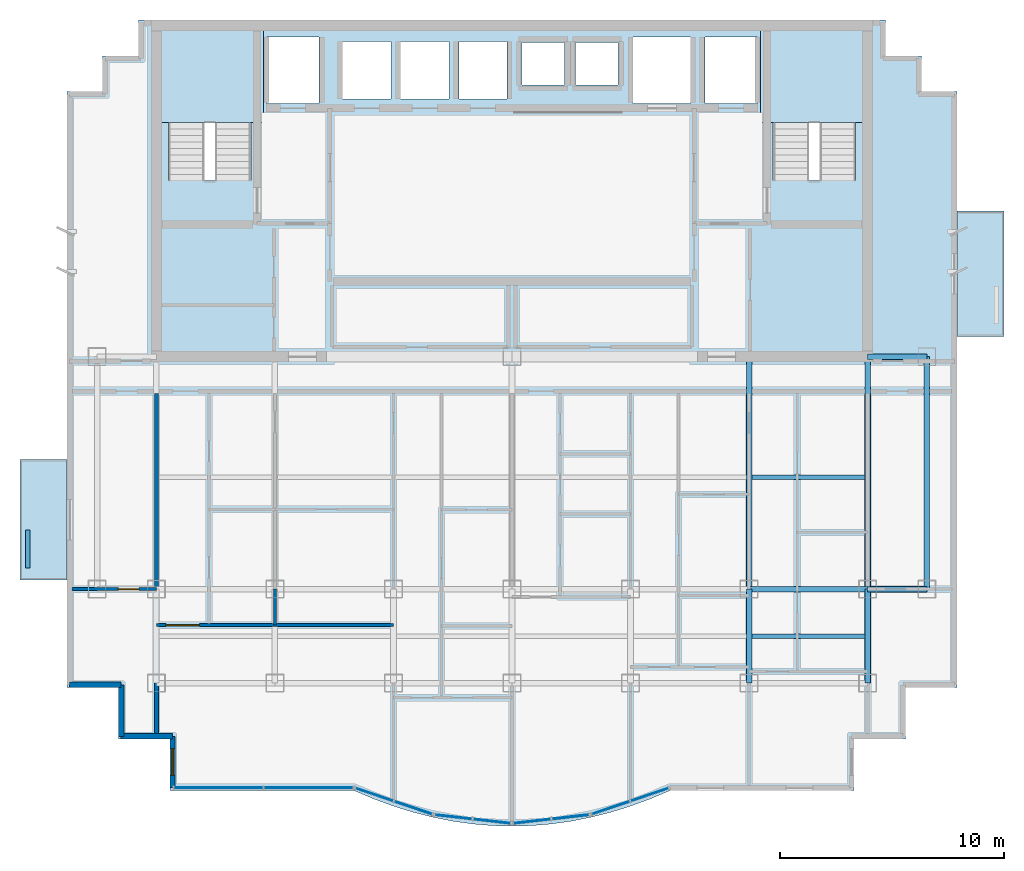
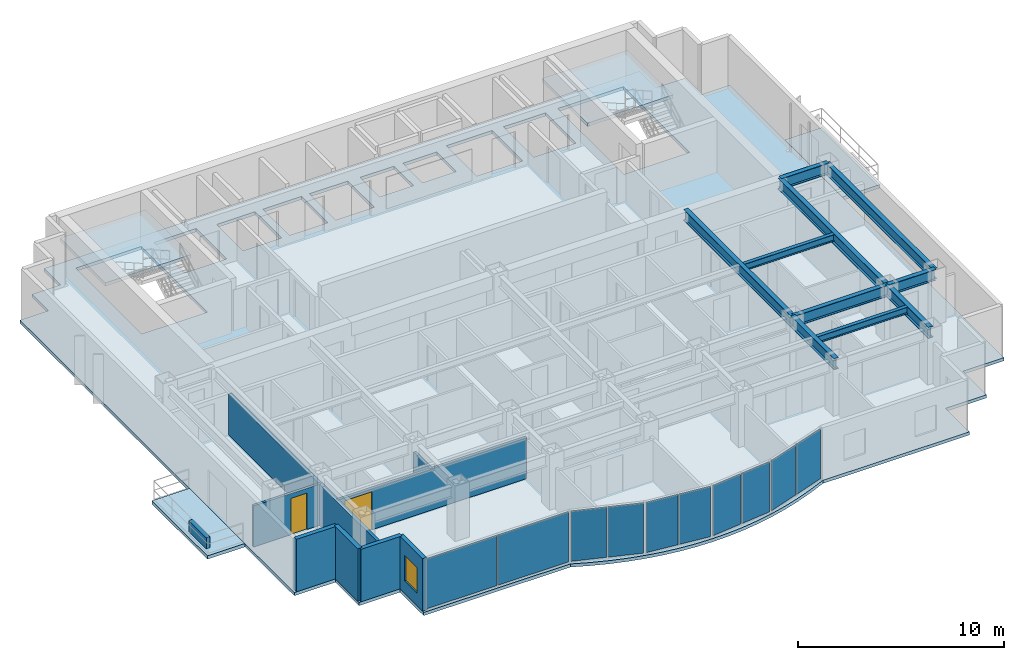
# One storey, part 3 of 9: 10 beams, 10 plates, 9 walls, 5 slabs, 2 doors, 1 window, 3 openings, 7 elements without a shape of their own.
"""IFC4 building model written with IfcOpenShell, lengths in metres."""

from ifc_helpers import new_model, si_unit, direction, frame, frame_2d, origin, origin_2d, place, context, subcontext, project, spatial, polyline, rectangle, i_section, outline, extrude, source, transform, mapped, material, layer, layer_set, material_profile, profile_set, type_object, element, fill, aggregate, save


model = new_model("IFC4")

# Units and contexts
model_context = context("Model", 3, precision=1e-05, world=origin(), true_north=direction((0.0, 1.0)))
body_context = subcontext(model_context, "Body", "Model", "MODEL_VIEW")
ifc_project = project(units=[si_unit("LENGTHUNIT", "METRE"), si_unit("AREAUNIT", "SQUARE_METRE"), si_unit("VOLUMEUNIT", "CUBIC_METRE"), si_unit("PLANEANGLEUNIT", "RADIAN"), si_unit("MASSUNIT", "GRAM", prefix="KILO")], contexts=[model_context])

# Site, building, storey
site_placement = place(None, origin())
site = spatial("IfcSite", under=ifc_project, at=site_placement, CompositionType="ELEMENT")
building_placement = place(site_placement, origin())
building = spatial("IfcBuilding", under=site, at=building_placement, Name="Qianlan Lanfeng Residences", CompositionType="ELEMENT")
storey_placement = place(building_placement, frame((0.0, 0.0, 209.89990234375)))
storey = spatial("IfcBuildingStorey", under=building, at=storey_placement, Name="L57", CompositionType="ELEMENT", Elevation=209.89990234375)

# Beams
ifc_material_1 = material(Name="Steel SN490B", Category="steel")
ifc_material_profile_1 = material_profile(ifc_material_1, i_section(OverallWidth=0.25, OverallDepth=0.64990234375, WebThickness=0.012939453125, FlangeThickness=0.02197265625, at=origin_2d()), Name="H 650x250x13x22")
ifc_profile_set_1 = profile_set([ifc_material_profile_1], Name="Steel SN490B")
beam_type_1 = type_object("IfcBeamType", Name="G-650", PredefinedType="BEAM", material=ifc_profile_set_1)
beam_1_placement = place(storey_placement, frame((37.10009765625, 14.800048828125, 2.78515625), z_axis=(1.0, 0.0, 0.0), x_axis=(0.0, 1.0, 0.0)))
element("IfcBeam", 1, at=beam_1_placement, inside=storey, type_object=beam_type_1, Name="Structural beam G-650", PredefinedType="BEAM", context=body_context, shape_type="SweptSolid", body=[
    extrude(i_section(OverallWidth=0.25, OverallDepth=0.64990234375, WebThickness=0.012939453125, FlangeThickness=0.02197265625, at=origin_2d()), origin(), (0.0, 0.0, 1.0), 5.2998046875),
])
for number, where, z_axis, x_axis, name in (
    (2, (42.39990234375, 14.800048828125, 2.78515625), (1.0, 0.0, 0.0), (0.0, 1.0, 0.0), "Structural beam G-650"),
    (3, (42.39990234375, 25.199951171875, 2.78515625), (1.0, 0.0, 0.0), (0.0, 1.0, 0.0), "Structural beam G-650"),
):
    element("IfcBeam", number, at=place(storey_placement, frame(where, z_axis=z_axis, x_axis=x_axis)), inside=storey, type_object=beam_type_1, Name=name, PredefinedType="BEAM", context=body_context, shape_type="SweptSolid", body=[
        extrude(i_section(OverallWidth=0.25, OverallDepth=0.64990234375, WebThickness=0.012939453125, FlangeThickness=0.02197265625, at=origin_2d()), origin(), (0.0, 0.0, 1.0), 2.650146484375),
    ])
beam_2_placement = place(storey_placement, frame((37.10009765625, 10.60009765625, 2.78515625), z_axis=(0.0, 1.0, 0.0), x_axis=(-1.0, 0.0, 0.0)))
element("IfcBeam", 4, at=beam_2_placement, inside=storey, type_object=beam_type_1, Name="Structural beam G-650", PredefinedType="BEAM", context=body_context, shape_type="SweptSolid", body=[
    extrude(i_section(OverallWidth=0.25, OverallDepth=0.64990234375, WebThickness=0.012939453125, FlangeThickness=0.02197265625, at=origin_2d()), origin(), (0.0, 0.0, 1.0), 4.199951171875),
])
beam_3_placement = place(storey_placement, frame((37.10009765625, 14.800048828125, 2.78515625), z_axis=(0.0, 1.0, 0.0), x_axis=(-1.0, 0.0, 0.0)))
element("IfcBeam", 5, at=beam_3_placement, inside=storey, type_object=beam_type_1, Name="Structural beam G-650", PredefinedType="BEAM", context=body_context, shape_type="SweptSolid", body=[
    extrude(i_section(OverallWidth=0.25, OverallDepth=0.64990234375, WebThickness=0.012939453125, FlangeThickness=0.02197265625, at=origin_2d()), origin(), (0.0, 0.0, 1.0), 10.39990234375),
])
beam_4_placement = place(storey_placement, frame((42.39990234375, 10.60009765625, 2.78515625), z_axis=(0.0, 1.0, 0.0), x_axis=(-1.0, 0.0, 0.0)))
element("IfcBeam", 6, at=beam_4_placement, inside=storey, type_object=beam_type_1, Name="Structural beam G-650", PredefinedType="BEAM", context=body_context, shape_type="SweptSolid", body=[
    extrude(i_section(OverallWidth=0.25, OverallDepth=0.64990234375, WebThickness=0.012939453125, FlangeThickness=0.02197265625, at=origin_2d()), origin(), (0.0, 0.0, 1.0), 4.199951171875),
])
beam_5_placement = place(storey_placement, frame((42.39990234375, 14.800048828125, 2.78515625), z_axis=(0.0, 1.0, 0.0), x_axis=(-1.0, 0.0, 0.0)))
element("IfcBeam", 7, at=beam_5_placement, inside=storey, type_object=beam_type_1, Name="Structural beam G-650", PredefinedType="BEAM", context=body_context, shape_type="SweptSolid", body=[
    extrude(i_section(OverallWidth=0.25, OverallDepth=0.64990234375, WebThickness=0.012939453125, FlangeThickness=0.02197265625, at=origin_2d()), origin(), (0.0, 0.0, 1.0), 10.39990234375),
])
ifc_material_profile_2 = material_profile(ifc_material_1, i_section(OverallWidth=0.199951171875, OverallDepth=0.39990234375, WebThickness=0.008056640625, FlangeThickness=0.012939453125, at=origin_2d()), Name="H 400x200x8x13")
ifc_profile_set_2 = profile_set([ifc_material_profile_2], Name="Steel SN490B")
beam_type_2 = type_object("IfcBeamType", Name="J-400", PredefinedType="JOIST", material=ifc_profile_set_2)
for number, where, z_axis, x_axis, name in (
    (8, (37.22509765625, 12.699951171875, 2.91015625), (1.0, 0.0, 0.0), (0.0, 1.0, 0.0), "Structural beam J-400"),
    (9, (37.22509765625, 19.800048828125, 2.91015625), (1.0, 0.0, 0.0), (0.0, 1.0, 0.0), "Structural beam J-400"),
):
    element("IfcBeam", number, at=place(storey_placement, frame(where, z_axis=z_axis, x_axis=x_axis)), inside=storey, type_object=beam_type_2, Name=name, PredefinedType="JOIST", context=body_context, shape_type="SweptSolid", body=[
        extrude(i_section(OverallWidth=0.199951171875, OverallDepth=0.39990234375, WebThickness=0.008056640625, FlangeThickness=0.012939453125, at=origin_2d()), origin(), (0.0, 0.0, 1.0), 5.0498046875),
    ])
ifc_material_profile_3 = material_profile(ifc_material_1, i_section(OverallWidth=0.25, OverallDepth=0.64990234375, WebThickness=0.012939453125, FlangeThickness=0.02197265625, at=origin_2d()), Name="H 650x250x13x22")
ifc_profile_set_3 = profile_set([ifc_material_profile_3], Name="Steel SN490B")
beam_type_3 = type_object("IfcBeamType", Name="SG-650", PredefinedType="SPANDREL", material=ifc_profile_set_3)
beam_6_placement = place(storey_placement, frame((45.050048828125, 14.800048828125, 2.76513671875), z_axis=(0.0, 1.0, 0.0), x_axis=(-1.0, 0.0, 0.0)))
element("IfcBeam", 10, at=beam_6_placement, inside=storey, type_object=beam_type_3, Name="Structural beam SG-650", PredefinedType="SPANDREL", context=body_context, shape_type="SweptSolid", body=[
    extrude(i_section(OverallWidth=0.25, OverallDepth=0.64990234375, WebThickness=0.012939453125, FlangeThickness=0.02197265625, at=origin_2d()), origin(), (0.0, 0.0, 1.0), 10.39990234375),
])

# Slabs
ifc_material_2 = material(Name="Concrete C42", Category="concrete")
ifc_layer_1 = layer(ifc_material_2, 0.199951171875)
ifc_layer_set_1 = layer_set([ifc_layer_1], Name="Concrete C42")
slab_type_1 = type_object("IfcSlabType", Name="S-BAL-200", PredefinedType="FLOOR", material=ifc_layer_set_1)
slab_1_placement = place(storey_placement, frame((0.0, 0.0, -0.199951171875)))
element("IfcSlab", 11, at=slab_1_placement, inside=storey, type_object=slab_type_1, Name="L57 Planted Tree Balcony Slab WB-S", PredefinedType="FLOOR", context=body_context, shape_type="SweptSolid", body=[
    extrude(outline(polyline([(6.60009765625, 15.199951171875), (6.60009765625, 20.60009765625), (4.5, 20.60009765625), (4.5, 15.199951171875), (6.60009765625, 15.199951171875)])), origin(), (0.0, 0.0, 1.0), 0.199951171875),
])
slab_2_placement = place(storey_placement, frame((0.0, 0.0, -0.199951171875)))
element("IfcSlab", 12, at=slab_2_placement, inside=storey, type_object=slab_type_1, Name="L57 Planted Tree Balcony Slab EB-N", PredefinedType="FLOOR", context=body_context, shape_type="SweptSolid", body=[
    extrude(outline(polyline([(46.39990234375, 31.699951171875), (46.39990234375, 26.10009765625), (48.5, 26.10009765625), (48.5, 31.699951171875), (46.39990234375, 31.699951171875)])), origin(), (0.0, 0.0, 1.0), 0.199951171875),
])
ifc_layer_2 = layer(ifc_material_2, 0.18994140625)
ifc_layer_set_2 = layer_set([ifc_layer_2], Name="Concrete C42")
slab_type_2 = type_object("IfcSlabType", Name="S-FL-190", PredefinedType="FLOOR", material=ifc_layer_set_2)
slab_3_placement = place(storey_placement, frame((0.0, 0.0, -0.18994140625)))
element("IfcSlab", 13, at=slab_3_placement, inside=storey, type_object=slab_type_2, Name="L57 Structural Floor Slab", PredefinedType="FLOOR", context=body_context, shape_type="SweptSolid", body=[
    extrude(outline(polyline([(6.60009765625, 10.39990234375), (8.89990234375, 10.39990234375), (8.89990234375, 8.10009765625), (11.199951171875, 8.10009765625), (11.199951171875, 5.800048828125), (19.419921875, 5.800048828125), (20.304931640625, 5.425048828125), (21.18994140625, 5.10009765625), (22.074951171875, 4.824951171875), (22.9599609375, 4.60009765625), (23.844970703125, 4.425048828125), (24.72998046875, 4.300048828125), (25.614990234375, 4.22509765625), (26.5, 4.199951171875), (27.385009765625, 4.22509765625), (28.27001953125, 4.300048828125), (29.155029296875, 4.425048828125), (30.0400390625, 4.60009765625), (30.925048828125, 4.824951171875), (31.81005859375, 5.10009765625), (32.695068359375, 5.425048828125), (33.580078125, 5.800048828125), (41.800048828125, 5.800048828125), (41.800048828125, 8.10009765625), (44.10009765625, 8.10009765625), (44.10009765625, 10.39990234375), (46.39990234375, 10.39990234375), (46.39990234375, 37.050048828125), (44.800048828125, 37.050048828125), (44.800048828125, 38.64990234375), (43.199951171875, 38.64990234375), (43.199951171875, 40.25), (9.800048828125, 40.25), (9.800048828125, 38.64990234375), (8.199951171875, 38.64990234375), (8.199951171875, 37.050048828125), (6.60009765625, 37.050048828125), (6.60009765625, 10.39990234375)]), holes=[polyline([(11.139892578125, 33.080078125), (11.139892578125, 39.5), (14.820068359375, 39.5), (14.820068359375, 33.080078125), (11.139892578125, 33.080078125)]), polyline([(38.179931640625, 33.080078125), (38.179931640625, 39.5), (41.860107421875, 39.5), (41.860107421875, 33.080078125), (38.179931640625, 33.080078125)]), polyline([(15.52001953125, 36.52001953125), (15.52001953125, 39.47998046875), (17.8798828125, 39.47998046875), (17.8798828125, 36.52001953125), (15.52001953125, 36.52001953125)]), polyline([(35.1201171875, 36.52001953125), (35.1201171875, 39.47998046875), (37.47998046875, 39.47998046875), (37.47998046875, 36.52001953125), (35.1201171875, 36.52001953125)]), polyline([(31.919921875, 36.52001953125), (31.919921875, 39.47998046875), (34.47998046875, 39.47998046875), (34.47998046875, 36.52001953125), (31.919921875, 36.52001953125)]), polyline([(18.919921875, 36.719970703125), (18.919921875, 39.280029296875), (21.080078125, 39.280029296875), (21.080078125, 36.719970703125), (18.919921875, 36.719970703125)]), polyline([(21.52001953125, 36.719970703125), (21.52001953125, 39.280029296875), (23.679931640625, 39.280029296875), (23.679931640625, 36.719970703125), (21.52001953125, 36.719970703125)]), polyline([(24.1201171875, 36.719970703125), (24.1201171875, 39.280029296875), (26.280029296875, 39.280029296875), (26.280029296875, 36.719970703125), (24.1201171875, 36.719970703125)]), polyline([(26.949951171875, 37.35009765625), (26.949951171875, 39.25), (28.85009765625, 39.25), (28.85009765625, 37.35009765625), (26.949951171875, 37.35009765625)]), polyline([(29.35009765625, 37.35009765625), (29.35009765625, 39.25), (31.25, 39.25), (31.25, 37.35009765625), (29.35009765625, 37.35009765625)])]), origin(), (0.0, 0.0, 1.0), 0.18994140625),
])

# Stair, slab
stair_type = type_object("IfcStairType", Name="STR-MAIN", PredefinedType="HALF_TURN_STAIR", material=ifc_material_2)
stair_1_placement = place(storey_placement, origin())
stair_1 = element("IfcStair", 14, at=stair_1_placement, inside=storey, type_object=stair_type, Name="L57 Exit Stair ST-1", PredefinedType="HALF_TURN_STAIR")
ifc_layer_3 = layer(ifc_material_2, 0.179931640625)
ifc_layer_set_3 = layer_set([ifc_layer_3], Name="Concrete C42")
slab_type_3 = type_object("IfcSlabType", Name="S-LND-180", PredefinedType="LANDING", material=ifc_layer_set_3)
slab_4_placement = place(storey_placement, frame((0.0, 0.0, 1.4501953125)))
slab_4 = element("IfcSlab", 15, at=slab_4_placement, type_object=slab_type_3, Name="ST-1 landing 1", PredefinedType="LANDING", context=body_context, shape_type="SweptSolid", body=[
    extrude(outline(polyline([(10.580078125, 35.659912109375), (15.3798828125, 35.659912109375), (15.3798828125, 40.050048828125), (10.580078125, 40.050048828125), (10.580078125, 35.659912109375)])), origin(), (0.0, 0.0, 1.0), 0.199951171875),
])
aggregate(stair_1, [slab_4])

stair_2_placement = place(storey_placement, origin())
stair_2 = element("IfcStair", 16, at=stair_2_placement, inside=storey, type_object=stair_type, Name="L57 Exit Stair ST-2", PredefinedType="HALF_TURN_STAIR")
slab_5_placement = place(storey_placement, frame((0.0, 0.0, 1.4501953125)))
slab_5 = element("IfcSlab", 17, at=slab_5_placement, type_object=slab_type_3, Name="ST-2 landing 1", PredefinedType="LANDING", context=body_context, shape_type="SweptSolid", body=[
    extrude(outline(polyline([(37.6201171875, 35.659912109375), (42.419921875, 35.659912109375), (42.419921875, 40.050048828125), (37.6201171875, 40.050048828125), (37.6201171875, 35.659912109375)])), origin(), (0.0, 0.0, 1.0), 0.199951171875),
])
aggregate(stair_2, [slab_5])

# Curtain wall, plates
ifc_material_3 = material(Name="Anodised Bronze Aluminium 6063-T6", Category="aluminium")
ifc_layer_4 = layer(ifc_material_3, 0.219970703125)
ifc_layer_set_4 = layer_set([ifc_layer_4], Name="Anodised Bronze Aluminium 6063-T6")
curtain_wall_type = type_object("IfcCurtainWallType", Name="CW-05", PredefinedType="NOTDEFINED", material=ifc_layer_set_4)
curtain_wall_1_placement = place(storey_placement, origin())
curtain_wall_1 = element("IfcCurtainWall", 18, at=curtain_wall_1_placement, inside=storey, type_object=curtain_wall_type, Name="L57 Unitised Curtain Wall CWR-L57-01 (CW-05)", PredefinedType="NOTDEFINED")
ifc_material_4 = material(Name="Clear Low-E Insulated Glass", Category="glass")
ifc_layer_5 = layer(ifc_material_4, 0.035888671875)
ifc_layer_set_5 = layer_set([ifc_layer_5], Name="Clear Low-E Insulated Glass")
plate_type_1 = type_object("IfcPlateType", Name="PNL-GLZ-CLR", PredefinedType="CURTAIN_PANEL", material=ifc_layer_set_5)
shared_shape_1 = source(origin(), body_context, "Body", "SweptSolid", [
    extrude(rectangle(XDim=3.951416015625, YDim=0.035888671875, at=origin_2d()), origin(), (0.0, 0.0, 1.0), 2.9619140625),
])
plate_1_placement = place(storey_placement, frame((13.36962890625, 5.919921875, 0.07421875), z_axis=(0.0, 0.0, 1.0), x_axis=(1.0, 0.0, 0.0)))
plate_1 = element("IfcPlate", 19, at=plate_1_placement, type_object=plate_type_1, Name="CWR-L57-01 Curtain Panel 1", PredefinedType="CURTAIN_PANEL", context=body_context, shape_type="MappedRepresentation", body=[
    mapped(shared_shape_1, transform((0.0, 0.0, 0.0), scale=1.0)),
])
plate_2_placement = place(storey_placement, frame((17.394287109375, 5.919921875, 0.07421875), z_axis=(0.0, 0.0, 1.0), x_axis=(1.0, 0.0, 0.0)))
plate_2 = element("IfcPlate", 20, at=plate_2_placement, type_object=plate_type_1, Name="CWR-L57-01 Curtain Panel 2", PredefinedType="CURTAIN_PANEL", context=body_context, shape_type="MappedRepresentation", body=[
    mapped(shared_shape_1, transform((0.0, 0.0, 0.0), scale=1.0)),
])
aggregate(curtain_wall_1, [plate_1, plate_2])

# Curtain wall, plate
curtain_wall_2_placement = place(storey_placement, origin())
curtain_wall_2 = element("IfcCurtainWall", 21, at=curtain_wall_2_placement, inside=storey, type_object=curtain_wall_type, Name="L57 Unitised Curtain Wall CWR-L57-02 (CW-05)", PredefinedType="NOTDEFINED")
shared_shape_2 = source(origin(), body_context, "Body", "SweptSolid", [
    extrude(rectangle(XDim=1.760009765625, YDim=0.035888671875, at=origin_2d()), origin(), (0.0, 0.0, 1.0), 2.9619140625),
])
plate_3_placement = place(storey_placement, frame((20.347412109375, 5.61328125, 0.07421875), z_axis=(0.0, 0.0, 1.0), x_axis=(0.946876819797, -0.321596467845, 0.0)))
plate_3 = element("IfcPlate", 22, at=plate_3_placement, type_object=plate_type_1, Name="CWR-L57-02 Curtain Panel 1", PredefinedType="CURTAIN_PANEL", context=body_context, shape_type="MappedRepresentation", body=[
    mapped(shared_shape_2, transform((0.0, 0.0, 0.0), scale=1.0)),
])

curtain_wall_3_placement = place(storey_placement, origin())
curtain_wall_3 = element("IfcCurtainWall", 23, at=curtain_wall_3_placement, inside=storey, type_object=curtain_wall_type, Name="L57 Unitised Curtain Wall CWR-L57-05 (CW-05)", PredefinedType="NOTDEFINED")
plate_4_placement = place(storey_placement, frame((30.917236328125, 5.023681640625, 0.07421875), z_axis=(0.0, 0.0, 1.0), x_axis=(0.946876819797, 0.321596467845, 0.0)))
plate_4 = element("IfcPlate", 24, at=plate_4_placement, type_object=plate_type_1, Name="CWR-L57-05 Curtain Panel 1", PredefinedType="CURTAIN_PANEL", context=body_context, shape_type="MappedRepresentation", body=[
    mapped(shared_shape_2, transform((0.0, 0.0, 0.0), scale=1.0)),
])

# Plate
ifc_material_5 = material(Name="Perforated Anodised Bronze Aluminium Panel", Category="aluminium")
ifc_layer_6 = layer(ifc_material_5, 0.0419921875)
ifc_layer_set_6 = layer_set([ifc_layer_6], Name="Perforated Anodised Bronze Aluminium Panel")
plate_type_2 = type_object("IfcPlateType", Name="PNL-PRF-BRZ", PredefinedType="CURTAIN_PANEL", material=ifc_layer_set_6)
shared_shape_3 = source(origin(), body_context, "Body", "SweptSolid", [
    extrude(rectangle(XDim=1.759765625, YDim=0.0419921875, at=origin_2d()), origin(), (0.0, 0.0, 1.0), 2.9619140625),
])
plate_5_placement = place(storey_placement, frame((22.082763671875, 5.023681640625, 0.07421875), z_axis=(0.0, 0.0, 1.0), x_axis=(0.946876819797, -0.321596467845, 0.0)))
plate_5 = element("IfcPlate", 25, at=plate_5_placement, type_object=plate_type_2, Name="CWR-L57-02 Curtain Panel 2", PredefinedType="CURTAIN_PANEL", context=body_context, shape_type="MappedRepresentation", body=[
    mapped(shared_shape_3, transform((0.0, 0.0, 0.0), scale=1.0)),
])

aggregate(curtain_wall_2, [plate_3, plate_5])

# Curtain wall, plates
curtain_wall_4_placement = place(storey_placement, origin())
curtain_wall_4 = element("IfcCurtainWall", 26, at=curtain_wall_4_placement, inside=storey, type_object=curtain_wall_type, Name="L57 Unitised Curtain Wall CWR-L57-03 (CW-05)", PredefinedType="NOTDEFINED")
shared_shape_4 = source(origin(), body_context, "Body", "SweptSolid", [
    extrude(rectangle(XDim=1.65771484375, YDim=0.035888671875, at=origin_2d()), origin(), (0.0, 0.0, 1.0), 2.9619140625),
])
plate_6_placement = place(storey_placement, frame((23.883056640625, 4.615478515625, 0.07421875), z_axis=(0.0, 0.0, 1.0), x_axis=(0.993678497778, -0.112263275625, 0.0)))
plate_6 = element("IfcPlate", 27, at=plate_6_placement, type_object=plate_type_1, Name="CWR-L57-03 Curtain Panel 1", PredefinedType="CURTAIN_PANEL", context=body_context, shape_type="MappedRepresentation", body=[
    mapped(shared_shape_4, transform((0.0, 0.0, 0.0), scale=1.0)),
])
plate_7_placement = place(storey_placement, frame((25.602783203125, 4.42138671875, 0.07421875), z_axis=(0.0, 0.0, 1.0), x_axis=(0.993678497778, -0.112263275625, 0.0)))
plate_7 = element("IfcPlate", 28, at=plate_7_placement, type_object=plate_type_1, Name="CWR-L57-03 Curtain Panel 2", PredefinedType="CURTAIN_PANEL", context=body_context, shape_type="MappedRepresentation", body=[
    mapped(shared_shape_4, transform((0.0, 0.0, 0.0), scale=1.0)),
])
aggregate(curtain_wall_4, [plate_6, plate_7])

curtain_wall_5_placement = place(storey_placement, origin())
curtain_wall_5 = element("IfcCurtainWall", 29, at=curtain_wall_5_placement, inside=storey, type_object=curtain_wall_type, Name="L57 Unitised Curtain Wall CWR-L57-04 (CW-05)", PredefinedType="NOTDEFINED")
plate_8_placement = place(storey_placement, frame((27.397216796875, 4.42138671875, 0.07421875), z_axis=(0.0, 0.0, 1.0), x_axis=(0.993678497778, 0.112263275625, 0.0)))
plate_8 = element("IfcPlate", 30, at=plate_8_placement, type_object=plate_type_1, Name="CWR-L57-04 Curtain Panel 1", PredefinedType="CURTAIN_PANEL", context=body_context, shape_type="MappedRepresentation", body=[
    mapped(shared_shape_4, transform((0.0, 0.0, 0.0), scale=1.0)),
])
shared_shape_5 = source(origin(), body_context, "Body", "SweptSolid", [
    extrude(rectangle(XDim=1.65771484375, YDim=0.0419921875, at=origin_2d()), origin(), (0.0, 0.0, 1.0), 2.9619140625),
])
plate_9_placement = place(storey_placement, frame((29.116943359375, 4.615478515625, 0.07421875), z_axis=(0.0, 0.0, 1.0), x_axis=(0.993678497778, 0.112263275625, 0.0)))
plate_9 = element("IfcPlate", 31, at=plate_9_placement, type_object=plate_type_2, Name="CWR-L57-04 Curtain Panel 2", PredefinedType="CURTAIN_PANEL", context=body_context, shape_type="MappedRepresentation", body=[
    mapped(shared_shape_5, transform((0.0, 0.0, 0.0), scale=1.0)),
])
aggregate(curtain_wall_5, [plate_8, plate_9])

# Plate
shared_shape_6 = source(origin(), body_context, "Body", "SweptSolid", [
    extrude(rectangle(XDim=1.759765625, YDim=0.035888671875, at=origin_2d()), origin(), (0.0, 0.0, 1.0), 2.9619140625),
])
plate_10_placement = place(storey_placement, frame((32.65283203125, 5.61328125, 0.07421875), z_axis=(0.0, 0.0, 1.0), x_axis=(0.946876819797, 0.321596467845, 0.0)))
plate_10 = element("IfcPlate", 32, at=plate_10_placement, type_object=plate_type_1, Name="CWR-L57-05 Curtain Panel 2", PredefinedType="CURTAIN_PANEL", context=body_context, shape_type="MappedRepresentation", body=[
    mapped(shared_shape_6, transform((0.0, 0.0, 0.0), scale=1.0)),
])

aggregate(curtain_wall_3, [plate_4, plate_10])

# Walls
ifc_layer_7 = layer(ifc_material_2, 0.239990234375)
ifc_layer_set_7 = layer_set([ifc_layer_7], Name="Concrete C42")
wall_type_1 = type_object("IfcWallType", Name="EW-240", PredefinedType="SOLIDWALL", material=ifc_layer_set_7)
for number, where, z_axis, x_axis, name in (
    (33, (6.719970703125, 10.52001953125, 0.0), (0.0, 0.0, 1.0), (1.0, 0.0, 0.0), "L57 Exterior Facade Spandrel Wall 1"),
    (34, (9.02001953125, 10.52001953125, 0.0), (0.0, 0.0, 1.0), (0.0, -1.0, 0.0), "L57 Exterior Facade Spandrel Wall 2"),
    (35, (9.02001953125, 8.219970703125, 0.0), (0.0, 0.0, 1.0), (1.0, 0.0, 0.0), "L57 Exterior Facade Spandrel Wall 3"),
):
    element("IfcWall", number, at=place(storey_placement, frame(where, z_axis=z_axis, x_axis=x_axis)), inside=storey, type_object=wall_type_1, Name=name, PredefinedType="SOLIDWALL", context=body_context, shape_type="SweptSolid", body=[
        extrude(rectangle(XDim=2.300048828125, YDim=0.239990234375, at=frame_2d((1.14990234375, 0.0))), origin(), (0.0, 0.0, 1.0), 3.110107421875),
    ])

# Wall, opening, window
wall_1_placement = place(storey_placement, frame((11.320068359375, 8.219970703125, 0.0), z_axis=(0.0, 0.0, 1.0), x_axis=(0.0, -1.0, 0.0)))
wall_1 = element("IfcWall", 36, at=wall_1_placement, inside=storey, type_object=wall_type_1, Name="L57 Exterior Facade Spandrel Wall 4", PredefinedType="SOLIDWALL", context=body_context, shape_type="SweptSolid", body=[
    extrude(rectangle(XDim=2.300048828125, YDim=0.239990234375, at=frame_2d((1.14990234375, 0.0))), origin(), (0.0, 0.0, 1.0), 3.110107421875),
])
opening_1_placement = place(wall_1_placement, frame((0.550048828125, 0.0, 0.75)))
opening_1 = element("IfcOpeningElement", 37, at=opening_1_placement, cuts=wall_1, Name="Opening W-03", PredefinedType="OPENING", context=body_context, shape_type="SweptSolid", body=[
    extrude(rectangle(XDim=1.199951171875, YDim=1.5, at=frame_2d((0.60009765625, 0.75))), frame((0.0, 0.1298828125, 0.0), z_axis=(0.0, -1.0, 0.0), x_axis=(1.0, 0.0, 0.0)), (0.0, 0.0, 1.0), 0.260009765625),
])
ifc_material_6 = material(Name="Anodised Bronze Aluminium Framed Double Glazing", Category="aluminium")
window_type = type_object("IfcWindowType", Name="W-03", PartitioningType="SINGLE_PANEL", PredefinedType="WINDOW", material=ifc_material_6)
window_placement = place(opening_1_placement, origin())
window = element("IfcWindow", 38, at=window_placement, inside=storey, type_object=window_type, Name="L57 Facade Punched Window W-03", OverallHeight=1.5, OverallWidth=1.199951171875, PartitioningType="SINGLE_PANEL", PredefinedType="WINDOW", context=body_context, shape_type="SweptSolid", body=[
    extrude(rectangle(XDim=1.199951171875, YDim=1.5, at=frame_2d((0.60009765625, 0.75))), frame((0.0, 0.030029296875, 0.0), z_axis=(0.0, -1.0, 0.0), x_axis=(1.0, 0.0, 0.0)), (0.0, 0.0, 1.0), 0.06005859375),
])
fill(opening_1, window)

# Walls
ifc_layer_8 = layer(ifc_material_2, 0.199951171875)
ifc_layer_set_8 = layer_set([ifc_layer_8], Name="Concrete C42")
wall_type_2 = type_object("IfcWallType", Name="PL-TREE-200", PredefinedType="PARAPET", material=ifc_layer_set_8)
wall_2_placement = place(storey_placement, frame((4.85009765625, 15.75, 0.0), z_axis=(0.0, 0.0, 1.0), x_axis=(0.0, 1.0, 0.0)))
element("IfcWall", 39, at=wall_2_placement, inside=storey, type_object=wall_type_2, Name="L57 West Tree Planter Curb WB-S", PredefinedType="PARAPET", context=body_context, shape_type="SweptSolid", body=[
    extrude(rectangle(XDim=1.699951171875, YDim=0.199951171875, at=frame_2d((0.85009765625, 0.0))), origin(), (0.0, 0.0, 1.0), 0.650146484375),
])
ifc_material_7 = material(Name="Moisture-Resistant Gypsum Partition 135 mm")
ifc_layer_9 = layer(ifc_material_7, 0.135009765625)
ifc_layer_set_9 = layer_set([ifc_layer_9], Name="Moisture-Resistant Gypsum Partition 135 mm")
wall_type_3 = type_object("IfcWallType", Name="PW-135", PredefinedType="PARTITIONING", material=ifc_layer_set_9)
wall_3_placement = place(storey_placement, frame((15.89990234375, 13.18994140625, 0.0), z_axis=(0.0, 0.0, 1.0), x_axis=(0.0, 1.0, 0.0)))
element("IfcWall", 40, at=wall_3_placement, inside=storey, type_object=wall_type_3, Name="L57 U01 Mid Column Wall", PredefinedType="PARTITIONING", context=body_context, shape_type="SweptSolid", body=[
    extrude(rectangle(XDim=1.610107421875, YDim=0.135009765625, at=frame_2d((0.80517578125, 0.0))), origin(), (0.0, 0.0, 1.0), 2.43017578125),
])

# Wall, opening, door
wall_4_placement = place(storey_placement, frame((10.60009765625, 13.18994140625, 0.0), z_axis=(0.0, 0.0, 1.0), x_axis=(1.0, 0.0, 0.0)))
wall_4 = element("IfcWall", 41, at=wall_4_placement, inside=storey, type_object=wall_type_3, Name="L57 U01 Grand Living North Wall", PredefinedType="PARTITIONING", context=body_context, shape_type="SweptSolid", body=[
    extrude(rectangle(XDim=10.599853515625, YDim=0.135009765625, at=frame_2d((5.2998046875, 0.0))), origin(), (0.0, 0.0, 1.0), 2.43017578125),
])
opening_2_placement = place(wall_4_placement, frame((0.425048828125, 0.0, 0.0)))
opening_2 = element("IfcOpeningElement", 42, at=opening_2_placement, cuts=wall_4, Name="Opening L57-D19", PredefinedType="OPENING", context=body_context, shape_type="SweptSolid", body=[
    extrude(rectangle(XDim=1.5, YDim=2.25, at=frame_2d((0.75, 1.125))), frame((0.0, 0.07763671875, 0.0), z_axis=(0.0, -1.0, 0.0), x_axis=(1.0, 0.0, 0.0)), (0.0, 0.0, 1.0), 0.155029296875),
])
ifc_material_8 = material(Name="Timber Veneer Acoustic Fire Door", Category="wood")
door_type_1 = type_object("IfcDoorType", Name="DT-COR1", OperationType="NOTDEFINED", PredefinedType="DOOR", material=ifc_material_8)
door_1_placement = place(opening_2_placement, origin())
door_1 = element("IfcDoor", 43, at=door_1_placement, inside=storey, type_object=door_type_1, Name="L57 U01 Grand Living Door L57-D19 (DT-COR1)", OperationType="DOUBLE_DOOR_SINGLE_SWING", OverallHeight=2.25, OverallWidth=1.5, PredefinedType="DOOR", context=body_context, shape_type="SweptSolid", body=[
    extrude(rectangle(XDim=1.5, YDim=2.25, at=frame_2d((0.75, 1.125))), frame((0.0, 0.02490234375, 0.0), z_axis=(0.0, -1.0, 0.0), x_axis=(1.0, 0.0, 0.0)), (0.0, 0.0, 1.0), 0.050048828125),
])
fill(opening_2, door_1)

wall_5_placement = place(storey_placement, frame((6.820068359375, 14.800048828125, 0.0), z_axis=(0.0, 0.0, 1.0), x_axis=(1.0, 0.0, 0.0)))
wall_5 = element("IfcWall", 44, at=wall_5_placement, inside=storey, type_object=wall_type_3, Name="L57 SWP Mid Partition", PredefinedType="PARTITIONING", context=body_context, shape_type="SweptSolid", body=[
    extrude(rectangle(XDim=3.780029296875, YDim=0.135009765625, at=frame_2d((1.89013671875, 0.0))), origin(), (0.0, 0.0, 1.0), 2.43017578125),
])
opening_3_placement = place(wall_5_placement, frame((2.080078125, 0.0, 0.0)))
opening_3 = element("IfcOpeningElement", 45, at=opening_3_placement, cuts=wall_5, Name="Opening L57-D41", PredefinedType="OPENING", context=body_context, shape_type="SweptSolid", body=[
    extrude(rectangle(XDim=0.919921875, YDim=2.14990234375, at=frame_2d((0.4599609375, 1.074951171875))), frame((0.0, 0.07763671875, 0.0), z_axis=(0.0, -1.0, 0.0), x_axis=(1.0, 0.0, 0.0)), (0.0, 0.0, 1.0), 0.155029296875),
])
ifc_material_9 = material(Name="Glazed Timber Kitchen/Study Door", Category="wood")
door_type_2 = type_object("IfcDoorType", Name="DT-INT", OperationType="NOTDEFINED", PredefinedType="DOOR", material=ifc_material_9)
door_2_placement = place(opening_3_placement, origin())
door_2 = element("IfcDoor", 46, at=door_2_placement, inside=storey, type_object=door_type_2, Name="L57 SWP Inner Door L57-D41 (DT-INT)", OperationType="SINGLE_SWING_LEFT", OverallHeight=2.14990234375, OverallWidth=0.919921875, PredefinedType="DOOR", context=body_context, shape_type="SweptSolid", body=[
    extrude(rectangle(XDim=0.919921875, YDim=2.14990234375, at=frame_2d((0.4599609375, 1.074951171875))), frame((0.0, 0.02490234375, 0.0), z_axis=(0.0, -1.0, 0.0), x_axis=(1.0, 0.0, 0.0)), (0.0, 0.0, 1.0), 0.050048828125),
])
fill(opening_3, door_2)

# Wall
ifc_material_10 = material(Name="Double-Layer Acoustic Gypsum Stud Wall 180 mm")
ifc_layer_10 = layer(ifc_material_10, 0.179931640625)
ifc_layer_set_10 = layer_set([ifc_layer_10], Name="Double-Layer Acoustic Gypsum Stud Wall 180 mm")
wall_type_4 = type_object("IfcWallType", Name="PW-180", PredefinedType="PARTITIONING", material=ifc_layer_set_10)
wall_6_placement = place(storey_placement, frame((10.60009765625, 8.320068359375, 0.0), z_axis=(0.0, 0.0, 1.0), x_axis=(0.0, 1.0, 0.0)))
element("IfcWall", 47, at=wall_6_placement, inside=storey, type_object=wall_type_4, Name="L57 Wing Boundary Party Wall W0", PredefinedType="PARTITIONING", context=body_context, shape_type="SweptSolid", body=[
    extrude(rectangle(XDim=15.22998046875, YDim=0.179931640625, at=frame_2d((7.614990234375, 0.0))), origin(), (0.0, 0.0, 1.0), 2.43017578125),
])

save(model, "model.ifc")
